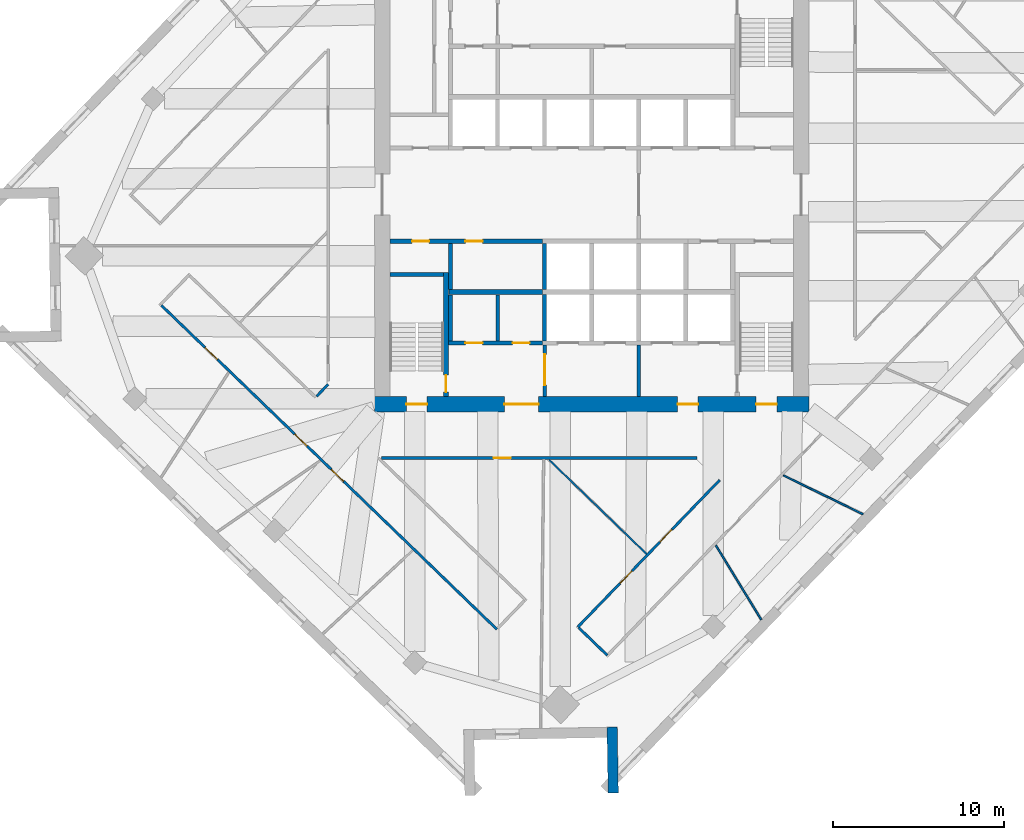
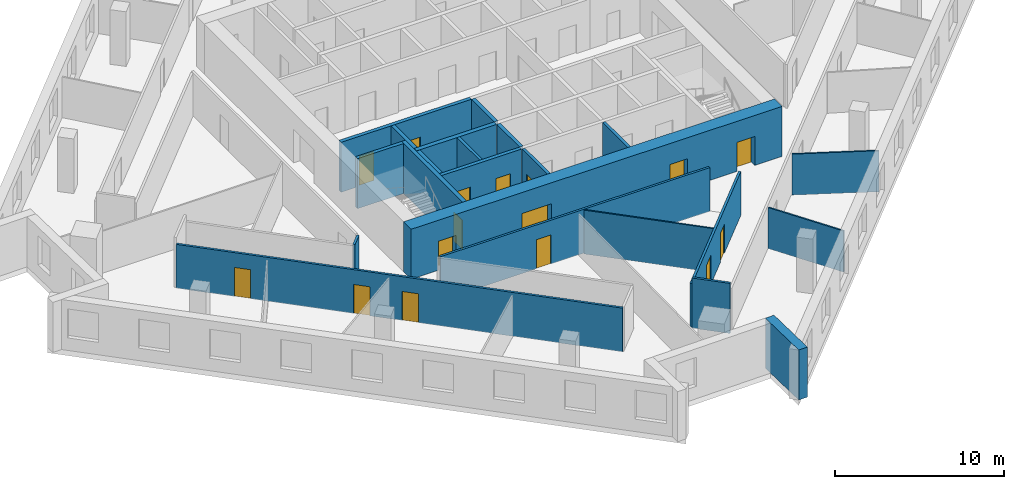
# One storey, part 6 of 13: 22 walls, 16 doors, 16 openings.
"""IFC4 building model written with IfcOpenShell, lengths in metres."""

from ifc_helpers import new_model, si_unit, direction, frame, frame_2d, origin, place, context, subcontext, project, spatial, rectangle, extrude, material, layer, layer_set, type_object, element, fill, save


model = new_model("IFC4")

# Units and contexts
model_context = context("Model", 3, precision=1e-05, world=origin(), true_north=direction((0.0, 1.0)))
body_context = subcontext(model_context, "Body", "Model", "MODEL_VIEW")
ifc_project = project(units=[si_unit("LENGTHUNIT", "METRE"), si_unit("AREAUNIT", "SQUARE_METRE"), si_unit("VOLUMEUNIT", "CUBIC_METRE"), si_unit("PLANEANGLEUNIT", "RADIAN"), si_unit("MASSUNIT", "GRAM", prefix="KILO")], contexts=[model_context])

# Site, building, storey
site_placement = place(None, origin())
site = spatial("IfcSite", under=ifc_project, at=site_placement, CompositionType="ELEMENT")
building_placement = place(site_placement, origin())
building = spatial("IfcBuilding", under=site, at=building_placement, Name="Dilmun Exchange Tower", CompositionType="ELEMENT")
storey_placement = place(building_placement, frame((0.0, 0.0, 213.300048828125)))
storey = spatial("IfcBuildingStorey", under=building, at=storey_placement, Name="L50", CompositionType="ELEMENT", Elevation=213.300048828125)

# Wall, opening, door
ifc_material_1 = material(Name="Concrete C40/50", Category="concrete")
ifc_layer_1 = layer(ifc_material_1, 0.199951171875)
ifc_layer_set_1 = layer_set([ifc_layer_1], Name="Concrete C40/50")
wall_type_1 = type_object("IfcWallType", Name="Core partition wall 200", PredefinedType="PARTITIONING", material=ifc_layer_set_1)
wall_1_placement = place(storey_placement, frame((-2.75, -11.794921875, 0.0), z_axis=(0.0, 0.0, 1.0), x_axis=(0.0, 1.0, 0.0)))
wall_1 = element("IfcWall", 1, at=wall_1_placement, inside=storey, type_object=wall_type_1, Name="L50 core partition wall 01", PredefinedType="PARTITIONING", context=body_context, shape_type="SweptSolid", body=[
    extrude(rectangle(XDim=2.989990234375, YDim=0.199951171875, at=frame_2d((1.4951171875, 0.0))), origin(), (0.0, 0.0, 1.0), 3.619873046875),
])
opening_1_placement = place(wall_1_placement, frame((0.657470703125, 0.0, 0.0)))
opening_1 = element("IfcOpeningElement", 2, at=opening_1_placement, cuts=wall_1, Name="Opening CD5", PredefinedType="OPENING", context=body_context, shape_type="SweptSolid", body=[
    extrude(rectangle(XDim=1.800048828125, YDim=2.10009765625, at=frame_2d((0.89990234375, 1.050048828125))), frame((0.0, 0.10986328125, 0.0), z_axis=(0.0, -1.0, 0.0), x_axis=(1.0, 0.0, 0.0)), (0.0, 0.0, 1.0), 0.219970703125),
])
ifc_material_2 = material(Name="Fire-rated steel door set", Category="steel")
door_type_1 = type_object("IfcDoorType", Name="Stair exit door 1800x2100", OperationType="SINGLE_SWING_LEFT", PredefinedType="DOOR", material=ifc_material_2)
door_1_placement = place(opening_1_placement, origin())
door_1 = element("IfcDoor", 3, at=door_1_placement, inside=storey, type_object=door_type_1, Name="L50 door Service lobby east", OperationType="SINGLE_SWING_LEFT", OverallHeight=2.10009765625, OverallWidth=1.800048828125, PredefinedType="DOOR", context=body_context, shape_type="SweptSolid", body=[
    extrude(rectangle(XDim=1.800048828125, YDim=2.10009765625, at=frame_2d((0.89990234375, 1.050048828125))), frame((0.0, 0.02490234375, 0.0), z_axis=(0.0, -1.0, 0.0), x_axis=(1.0, 0.0, 0.0)), (0.0, 0.0, 1.0), 0.050048828125),
])
fill(opening_1, door_1)

# Walls
wall_2_placement = place(storey_placement, frame((2.75, -11.794921875, 0.0), z_axis=(0.0, 0.0, 1.0), x_axis=(0.0, 1.0, 0.0)))
element("IfcWall", 4, at=wall_2_placement, inside=storey, type_object=wall_type_1, Name="L50 core partition wall 02", PredefinedType="PARTITIONING", context=body_context, shape_type="SweptSolid", body=[
    extrude(rectangle(XDim=2.989990234375, YDim=0.199951171875, at=frame_2d((1.4951171875, 0.0))), origin(), (0.0, 0.0, 1.0), 3.619873046875),
])
wall_3_placement = place(storey_placement, frame((-5.5, -8.544921875, 0.0), z_axis=(0.0, 0.0, 1.0), x_axis=(0.0, 1.0, 0.0)))
element("IfcWall", 5, at=wall_3_placement, inside=storey, type_object=wall_type_1, Name="L50 core partition wall 05", PredefinedType="PARTITIONING", context=body_context, shape_type="SweptSolid", body=[
    extrude(rectangle(XDim=2.68994140625, YDim=0.199951171875, at=frame_2d((1.344970703125, 0.0))), origin(), (0.0, 0.0, 1.0), 3.619873046875),
])

# Wall, openings, doors
ifc_layer_2 = layer(ifc_material_1, 0.25)
ifc_layer_set_2 = layer_set([ifc_layer_2], Name="Concrete C40/50")
wall_type_2 = type_object("IfcWallType", Name="Core partition wall 250", PredefinedType="PARTITIONING", material=ifc_layer_set_2)
wall_4_placement = place(storey_placement, frame((-8.3701171875, -8.675048828125, 0.0), z_axis=(0.0, 0.0, 1.0), x_axis=(1.0, 0.0, 0.0)))
wall_4 = element("IfcWall", 6, at=wall_4_placement, inside=storey, type_object=wall_type_2, Name="L50 core partition wall 03", PredefinedType="PARTITIONING", context=body_context, shape_type="SweptSolid", body=[
    extrude(rectangle(XDim=5.490234375, YDim=0.25, at=frame_2d((2.7451171875, 0.0))), origin(), (0.0, 0.0, 1.0), 3.619873046875),
])
opening_2_placement = place(wall_4_placement, frame((0.9951171875, 0.0, 0.0)))
opening_2 = element("IfcOpeningElement", 7, at=opening_2_placement, cuts=wall_4, Name="Opening CD4", PredefinedType="OPENING", context=body_context, shape_type="SweptSolid", body=[
    extrude(rectangle(XDim=1.0, YDim=2.10009765625, at=frame_2d((0.5, 1.050048828125))), frame((0.0, 0.135009765625, 0.0), z_axis=(0.0, -1.0, 0.0), x_axis=(1.0, 0.0, 0.0)), (0.0, 0.0, 1.0), 0.27001953125),
])
opening_3_placement = place(wall_4_placement, frame((3.7451171875, 0.0, 0.0)))
opening_3 = element("IfcOpeningElement", 8, at=opening_3_placement, cuts=wall_4, Name="Opening CD4", PredefinedType="OPENING", context=body_context, shape_type="SweptSolid", body=[
    extrude(rectangle(XDim=1.0, YDim=2.10009765625, at=frame_2d((0.5, 1.050048828125))), frame((0.0, 0.135009765625, 0.0), z_axis=(0.0, -1.0, 0.0), x_axis=(1.0, 0.0, 0.0)), (0.0, 0.0, 1.0), 0.27001953125),
])
door_type_2 = type_object("IfcDoorType", Name="Core room door 1000x2100", OperationType="SINGLE_SWING_LEFT", PredefinedType="DOOR", material=ifc_material_2)
door_2_placement = place(opening_2_placement, origin())
door_2 = element("IfcDoor", 9, at=door_2_placement, inside=storey, type_object=door_type_2, Name="L50 door Male WC", OperationType="SINGLE_SWING_LEFT", OverallHeight=2.10009765625, OverallWidth=1.0, PredefinedType="DOOR", context=body_context, shape_type="SweptSolid", body=[
    extrude(rectangle(XDim=1.0, YDim=2.10009765625, at=frame_2d((0.5, 1.050048828125))), frame((0.0, 0.02490234375, 0.0), z_axis=(0.0, -1.0, 0.0), x_axis=(1.0, 0.0, 0.0)), (0.0, 0.0, 1.0), 0.050048828125),
])
fill(opening_2, door_2)
door_3_placement = place(opening_3_placement, origin())
door_3 = element("IfcDoor", 10, at=door_3_placement, inside=storey, type_object=door_type_2, Name="L50 door Female WC", OperationType="SINGLE_SWING_LEFT", OverallHeight=2.10009765625, OverallWidth=1.0, PredefinedType="DOOR", context=body_context, shape_type="SweptSolid", body=[
    extrude(rectangle(XDim=1.0, YDim=2.10009765625, at=frame_2d((0.5, 1.050048828125))), frame((0.0, 0.02490234375, 0.0), z_axis=(0.0, -1.0, 0.0), x_axis=(1.0, 0.0, 0.0)), (0.0, 0.0, 1.0), 0.050048828125),
])
fill(opening_3, door_3)

# Walls
for number, where, z_axis, x_axis, name in (
    (11, (-8.25, -8.544921875, 0.0), (0.0, 0.0, 1.0), (0.0, 1.0, 0.0), "L50 core partition wall 04"),
    (12, (-8.25, -5.544921875, 0.0), (0.0, 0.0, 1.0), (0.0, 1.0, 0.0), "L50 core partition wall 07"),
):
    element("IfcWall", number, at=place(storey_placement, frame(where, z_axis=z_axis, x_axis=x_axis)), inside=storey, type_object=wall_type_2, Name=name, PredefinedType="PARTITIONING", context=body_context, shape_type="SweptSolid", body=[
        extrude(rectangle(XDim=2.68994140625, YDim=0.25, at=frame_2d((1.344970703125, 0.0))), origin(), (0.0, 0.0, 1.0), 3.619873046875),
    ])

# Wall, openings, doors
wall_5_placement = place(storey_placement, frame((-11.794921875, -2.72509765625, 0.0), z_axis=(0.0, 0.0, 1.0), x_axis=(1.0, 0.0, 0.0)))
wall_5 = element("IfcWall", 13, at=wall_5_placement, inside=storey, type_object=wall_type_2, Name="L50 core partition wall 09", PredefinedType="PARTITIONING", context=body_context, shape_type="SweptSolid", body=[
    extrude(rectangle(XDim=8.9150390625, YDim=0.25, at=frame_2d((4.45751953125, 0.0))), origin(), (0.0, 0.0, 1.0), 3.619873046875),
])
opening_4_placement = place(wall_5_placement, frame((1.294921875, 0.0, 0.0)))
opening_4 = element("IfcOpeningElement", 14, at=opening_4_placement, cuts=wall_5, Name="Opening CD4", PredefinedType="OPENING", context=body_context, shape_type="SweptSolid", body=[
    extrude(rectangle(XDim=1.0, YDim=2.10009765625, at=frame_2d((0.5, 1.050048828125))), frame((0.0, 0.135009765625, 0.0), z_axis=(0.0, -1.0, 0.0), x_axis=(1.0, 0.0, 0.0)), (0.0, 0.0, 1.0), 0.27001953125),
])
opening_5_placement = place(wall_5_placement, frame((4.419921875, 0.0, 0.0)))
opening_5 = element("IfcOpeningElement", 15, at=opening_5_placement, cuts=wall_5, Name="Opening CD4", PredefinedType="OPENING", context=body_context, shape_type="SweptSolid", body=[
    extrude(rectangle(XDim=1.0, YDim=2.10009765625, at=frame_2d((0.5, 1.050048828125))), frame((0.0, 0.135009765625, 0.0), z_axis=(0.0, -1.0, 0.0), x_axis=(1.0, 0.0, 0.0)), (0.0, 0.0, 1.0), 0.27001953125),
])
door_4_placement = place(opening_4_placement, origin())
door_4 = element("IfcDoor", 16, at=door_4_placement, inside=storey, type_object=door_type_2, Name="L50 door Accessible WC", OperationType="SINGLE_SWING_LEFT", OverallHeight=2.10009765625, OverallWidth=1.0, PredefinedType="DOOR", context=body_context, shape_type="SweptSolid", body=[
    extrude(rectangle(XDim=1.0, YDim=2.10009765625, at=frame_2d((0.5, 1.050048828125))), frame((0.0, 0.02490234375, 0.0), z_axis=(0.0, -1.0, 0.0), x_axis=(1.0, 0.0, 0.0)), (0.0, 0.0, 1.0), 0.050048828125),
])
fill(opening_4, door_4)
door_5_placement = place(opening_5_placement, origin())
door_5 = element("IfcDoor", 17, at=door_5_placement, inside=storey, type_object=door_type_2, Name="L50 door Switch room", OperationType="SINGLE_SWING_LEFT", OverallHeight=2.10009765625, OverallWidth=1.0, PredefinedType="DOOR", context=body_context, shape_type="SweptSolid", body=[
    extrude(rectangle(XDim=1.0, YDim=2.10009765625, at=frame_2d((0.5, 1.050048828125))), frame((0.0, 0.02490234375, 0.0), z_axis=(0.0, -1.0, 0.0), x_axis=(1.0, 0.0, 0.0)), (0.0, 0.0, 1.0), 0.050048828125),
])
fill(opening_5, door_5)

# Wall
ifc_layer_3 = layer(ifc_material_1, 0.300048828125)
ifc_layer_set_3 = layer_set([ifc_layer_3], Name="Concrete C40/50")
wall_type_3 = type_object("IfcWallType", Name="Core partition wall 300", PredefinedType="PARTITIONING", material=ifc_layer_set_3)
wall_6_placement = place(storey_placement, frame((-8.35009765625, -5.699951171875, 0.0), z_axis=(0.0, 0.0, 1.0), x_axis=(1.0, 0.0, 0.0)))
element("IfcWall", 18, at=wall_6_placement, inside=storey, type_object=wall_type_3, Name="L50 core partition wall 06", PredefinedType="PARTITIONING", context=body_context, shape_type="SweptSolid", body=[
    extrude(rectangle(XDim=5.47021484375, YDim=0.300048828125, at=frame_2d((2.735107421875, 0.0))), origin(), (0.0, 0.0, 1.0), 3.619873046875),
])

# Wall, openings, doors
ifc_material_3 = material(Name="Concrete C60/75", Category="concrete")
ifc_layer_4 = layer(ifc_material_3, 0.89990234375)
ifc_layer_set_4 = layer_set([ifc_layer_4], Name="Concrete C60/75")
wall_type_4 = type_object("IfcWallType", Name="Core shear wall 900 Concrete C60/75", PredefinedType="SHEAR", material=ifc_layer_set_4)
wall_7_placement = place(storey_placement, frame((-12.699951171875, -12.25, 0.0), z_axis=(0.0, 0.0, 1.0), x_axis=(1.0, 0.0, 0.0)))
wall_7 = element("IfcWall", 19, at=wall_7_placement, inside=storey, type_object=wall_type_4, Name="L50 core shear wall S", PredefinedType="SHEAR", context=body_context, shape_type="SweptSolid", body=[
    extrude(rectangle(XDim=25.39990234375, YDim=0.89990234375, at=frame_2d((12.699951171875, 0.0))), origin(), (0.0, 0.0, 1.0), 3.619873046875),
])
opening_6_placement = place(wall_7_placement, frame((7.60009765625, 0.0, 0.0)))
opening_6 = element("IfcOpeningElement", 20, at=opening_6_placement, cuts=wall_7, Name="Opening CD2", PredefinedType="OPENING", context=body_context, shape_type="SweptSolid", body=[
    extrude(rectangle(XDim=2.0, YDim=2.10009765625, at=frame_2d((1.0, 1.050048828125))), frame((0.0, 0.4599609375, 0.0), z_axis=(0.0, -1.0, 0.0), x_axis=(1.0, 0.0, 0.0)), (0.0, 0.0, 1.0), 0.919921875),
])
opening_7_placement = place(wall_7_placement, frame((17.72509765625, 0.0, 0.0)))
opening_7 = element("IfcOpeningElement", 21, at=opening_7_placement, cuts=wall_7, Name="Opening CD3", PredefinedType="OPENING", context=body_context, shape_type="SweptSolid", body=[
    extrude(rectangle(XDim=1.199951171875, YDim=2.10009765625, at=frame_2d((0.60009765625, 1.050048828125))), frame((0.0, 0.4599609375, 0.0), z_axis=(0.0, -1.0, 0.0), x_axis=(1.0, 0.0, 0.0)), (0.0, 0.0, 1.0), 0.919921875),
])
opening_8_placement = place(wall_7_placement, frame((1.875, 0.0, 0.0)))
opening_8 = element("IfcOpeningElement", 22, at=opening_8_placement, cuts=wall_7, Name="Opening CD3", PredefinedType="OPENING", context=body_context, shape_type="SweptSolid", body=[
    extrude(rectangle(XDim=1.199951171875, YDim=2.10009765625, at=frame_2d((0.60009765625, 1.050048828125))), frame((0.0, 0.4599609375, 0.0), z_axis=(0.0, -1.0, 0.0), x_axis=(1.0, 0.0, 0.0)), (0.0, 0.0, 1.0), 0.919921875),
])
opening_9_placement = place(wall_7_placement, frame((22.324951171875, 0.0, 0.0)))
opening_9 = element("IfcOpeningElement", 23, at=opening_9_placement, cuts=wall_7, Name="Opening CD3", PredefinedType="OPENING", context=body_context, shape_type="SweptSolid", body=[
    extrude(rectangle(XDim=1.199951171875, YDim=2.10009765625, at=frame_2d((0.60009765625, 1.050048828125))), frame((0.0, 0.4599609375, 0.0), z_axis=(0.0, -1.0, 0.0), x_axis=(1.0, 0.0, 0.0)), (0.0, 0.0, 1.0), 0.919921875),
])
door_type_3 = type_object("IfcDoorType", Name="Core service door 2000x2100", OperationType="DOUBLE_DOOR_DOUBLE_SWING", PredefinedType="DOOR", material=ifc_material_2)
door_6_placement = place(opening_6_placement, origin())
door_6 = element("IfcDoor", 24, at=door_6_placement, inside=storey, type_object=door_type_3, Name="L50 door South service lobby", OperationType="SINGLE_SWING_LEFT", OverallHeight=2.10009765625, OverallWidth=2.0, PredefinedType="DOOR", context=body_context, shape_type="SweptSolid", body=[
    extrude(rectangle(XDim=2.0, YDim=2.10009765625, at=frame_2d((1.0, 1.050048828125))), frame((0.0, 0.02490234375, 0.0), z_axis=(0.0, -1.0, 0.0), x_axis=(1.0, 0.0, 0.0)), (0.0, 0.0, 1.0), 0.050048828125),
])
fill(opening_6, door_6)
door_type_4 = type_object("IfcDoorType", Name="Stair exit door 1200x2100", OperationType="SINGLE_SWING_LEFT", PredefinedType="DOOR", material=ifc_material_2)
door_7_placement = place(opening_7_placement, origin())
door_7 = element("IfcDoor", 25, at=door_7_placement, inside=storey, type_object=door_type_4, Name="L50 door Fire-fighting lobby", OperationType="SINGLE_SWING_LEFT", OverallHeight=2.10009765625, OverallWidth=1.199951171875, PredefinedType="DOOR", context=body_context, shape_type="SweptSolid", body=[
    extrude(rectangle(XDim=1.199951171875, YDim=2.10009765625, at=frame_2d((0.60009765625, 1.050048828125))), frame((0.0, 0.02490234375, 0.0), z_axis=(0.0, -1.0, 0.0), x_axis=(1.0, 0.0, 0.0)), (0.0, 0.0, 1.0), 0.050048828125),
])
fill(opening_7, door_7)
door_8_placement = place(opening_8_placement, origin())
door_8 = element("IfcDoor", 26, at=door_8_placement, inside=storey, type_object=door_type_4, Name="L50 door Stair ST2", OperationType="SINGLE_SWING_LEFT", OverallHeight=2.10009765625, OverallWidth=1.199951171875, PredefinedType="DOOR", context=body_context, shape_type="SweptSolid", body=[
    extrude(rectangle(XDim=1.199951171875, YDim=2.10009765625, at=frame_2d((0.60009765625, 1.050048828125))), frame((0.0, 0.02490234375, 0.0), z_axis=(0.0, -1.0, 0.0), x_axis=(1.0, 0.0, 0.0)), (0.0, 0.0, 1.0), 0.050048828125),
])
fill(opening_8, door_8)
door_9_placement = place(opening_9_placement, origin())
door_9 = element("IfcDoor", 27, at=door_9_placement, inside=storey, type_object=door_type_4, Name="L50 door Stair ST3", OperationType="SINGLE_SWING_LEFT", OverallHeight=2.10009765625, OverallWidth=1.199951171875, PredefinedType="DOOR", context=body_context, shape_type="SweptSolid", body=[
    extrude(rectangle(XDim=1.199951171875, YDim=2.10009765625, at=frame_2d((0.60009765625, 1.050048828125))), frame((0.0, 0.02490234375, 0.0), z_axis=(0.0, -1.0, 0.0), x_axis=(1.0, 0.0, 0.0)), (0.0, 0.0, 1.0), 0.050048828125),
])
fill(opening_9, door_9)

ifc_material_4 = material(Name="Corridor wall 150")
ifc_layer_5 = layer(ifc_material_4, 0.14990234375)
ifc_layer_set_5 = layer_set([ifc_layer_5], Name="Corridor wall 150")
wall_type_5 = type_object("IfcWallType", Name="Corridor wall 150", PredefinedType="PARTITIONING", material=ifc_layer_set_5)
wall_8_placement = place(storey_placement, frame((-25.15087890625, -6.47900390625, 0.0), z_axis=(0.0, 0.0, 1.0), x_axis=(0.719341269489, -0.694656849106, 0.0)))
wall_8 = element("IfcWall", 28, at=wall_8_placement, inside=storey, type_object=wall_type_5, Name="Corridor wall", PredefinedType="PARTITIONING", context=body_context, shape_type="SweptSolid", body=[
    extrude(rectangle(XDim=27.258056640625, YDim=0.14990234375, at=frame_2d((13.62890625, 0.0))), origin(), (0.0, 0.0, 1.0), 3.169921875),
])
opening_10_placement = place(wall_8_placement, frame((3.550048828125, 0.0, 0.0)))
opening_10 = element("IfcOpeningElement", 29, at=opening_10_placement, cuts=wall_8, Name="Opening TF48-D01", PredefinedType="OPENING", context=body_context, shape_type="SweptSolid", body=[
    extrude(rectangle(XDim=1.0, YDim=2.10009765625, at=frame_2d((0.5, 1.050048828125))), frame((0.0, 0.0849609375, 0.0), z_axis=(0.0, -1.0, 0.0), x_axis=(1.0, 0.0, 0.0)), (0.0, 0.0, 1.0), 0.169921875),
])
opening_11_placement = place(wall_8_placement, frame((10.831787109375, 0.0, 0.0)))
opening_11 = element("IfcOpeningElement", 30, at=opening_11_placement, cuts=wall_8, Name="Opening TF48-D04", PredefinedType="OPENING", context=body_context, shape_type="SweptSolid", body=[
    extrude(rectangle(XDim=1.0, YDim=2.10009765625, at=frame_2d((0.5, 1.050048828125))), frame((0.0, 0.0849609375, 0.0), z_axis=(0.0, -1.0, 0.0), x_axis=(1.0, 0.0, 0.0)), (0.0, 0.0, 1.0), 0.169921875),
])
opening_12_placement = place(wall_8_placement, frame((13.79736328125, 0.0, 0.0)))
opening_12 = element("IfcOpeningElement", 31, at=opening_12_placement, cuts=wall_8, Name="Opening TF48-D07", PredefinedType="OPENING", context=body_context, shape_type="SweptSolid", body=[
    extrude(rectangle(XDim=1.0, YDim=2.10009765625, at=frame_2d((0.5, 1.050048828125))), frame((0.0, 0.0849609375, 0.0), z_axis=(0.0, -1.0, 0.0), x_axis=(1.0, 0.0, 0.0)), (0.0, 0.0, 1.0), 0.169921875),
])
ifc_material_5 = material(Name="Fire door 1000 x 2100")
door_type_5 = type_object("IfcDoorType", Name="Fire door 1000 x 2100", OperationType="NOTDEFINED", PredefinedType="DOOR", material=ifc_material_5)
door_10_placement = place(opening_10_placement, frame((1.0, 0.0, 0.0), z_axis=(0.0, 0.0, 1.0), x_axis=(-1.0, 0.0, 0.0)))
door_10 = element("IfcDoor", 32, at=door_10_placement, inside=storey, type_object=door_type_5, Name="Door TF48-D01", OperationType="SINGLE_SWING_LEFT", OverallHeight=2.10009765625, OverallWidth=1.0, PredefinedType="DOOR", context=body_context, shape_type="SweptSolid", body=[
    extrude(rectangle(XDim=1.0, YDim=2.10009765625, at=frame_2d((0.5, 1.050048828125))), frame((0.0, 0.02490234375, 0.0), z_axis=(0.0, -1.0, 0.0), x_axis=(1.0, 0.0, 0.0)), (0.0, 0.0, 1.0), 0.050048828125),
])
fill(opening_10, door_10)
door_11_placement = place(opening_11_placement, frame((1.0, 0.0, 0.0), z_axis=(0.0, 0.0, 1.0), x_axis=(-1.0, 0.0, 0.0)))
door_11 = element("IfcDoor", 33, at=door_11_placement, inside=storey, type_object=door_type_5, Name="Door TF48-D04", OperationType="SINGLE_SWING_RIGHT", OverallHeight=2.10009765625, OverallWidth=1.0, PredefinedType="DOOR", context=body_context, shape_type="SweptSolid", body=[
    extrude(rectangle(XDim=1.0, YDim=2.10009765625, at=frame_2d((0.5, 1.050048828125))), frame((0.0, 0.02490234375, 0.0), z_axis=(0.0, -1.0, 0.0), x_axis=(1.0, 0.0, 0.0)), (0.0, 0.0, 1.0), 0.050048828125),
])
fill(opening_11, door_11)
door_12_placement = place(opening_12_placement, frame((1.0, 0.0, 0.0), z_axis=(0.0, 0.0, 1.0), x_axis=(-1.0, 0.0, 0.0)))
door_12 = element("IfcDoor", 34, at=door_12_placement, inside=storey, type_object=door_type_5, Name="Door TF48-D07", OperationType="SINGLE_SWING_RIGHT", OverallHeight=2.10009765625, OverallWidth=1.0, PredefinedType="DOOR", context=body_context, shape_type="SweptSolid", body=[
    extrude(rectangle(XDim=1.0, YDim=2.10009765625, at=frame_2d((0.5, 1.050048828125))), frame((0.0, 0.02490234375, 0.0), z_axis=(0.0, -1.0, 0.0), x_axis=(1.0, 0.0, 0.0)), (0.0, 0.0, 1.0), 0.050048828125),
])
fill(opening_12, door_12)

# Wall
wall_9_placement = place(storey_placement, frame((-16.0830078125, -11.7958984375, 0.0), z_axis=(0.0, 0.0, 1.0), x_axis=(0.694957895629, 0.719050431682, 0.0)))
element("IfcWall", 35, at=wall_9_placement, inside=storey, type_object=wall_type_5, Name="Corridor wall", PredefinedType="PARTITIONING", context=body_context, shape_type="SweptSolid", body=[
    extrude(rectangle(XDim=0.98291015625, YDim=0.14990234375, at=frame_2d((0.491455078125, 0.0))), origin(), (0.0, 0.0, 1.0), 3.169921875),
])

# Wall, opening, door
wall_10_placement = place(storey_placement, frame((-12.2734375, -15.39990234375, 0.0), z_axis=(0.0, 0.0, 1.0), x_axis=(1.0, 0.0, 0.0)))
wall_10 = element("IfcWall", 36, at=wall_10_placement, inside=storey, type_object=wall_type_5, Name="Corridor wall", PredefinedType="PARTITIONING", context=body_context, shape_type="SweptSolid", body=[
    extrude(rectangle(XDim=18.42333984375, YDim=0.14990234375, at=frame_2d((9.211669921875, 0.0))), origin(), (0.0, 0.0, 1.0), 3.169921875),
])
opening_13_placement = place(wall_10_placement, frame((6.550048828125, 0.0, 0.0)))
opening_13 = element("IfcOpeningElement", 37, at=opening_13_placement, cuts=wall_10, Name="Opening TF48-D09", PredefinedType="OPENING", context=body_context, shape_type="SweptSolid", body=[
    extrude(rectangle(XDim=1.0, YDim=2.10009765625, at=frame_2d((0.5, 1.050048828125))), frame((0.0, 0.0849609375, 0.0), z_axis=(0.0, -1.0, 0.0), x_axis=(1.0, 0.0, 0.0)), (0.0, 0.0, 1.0), 0.169921875),
])
door_13_placement = place(opening_13_placement, frame((1.0, 0.0, 0.0), z_axis=(0.0, 0.0, 1.0), x_axis=(-1.0, 0.0, 0.0)))
door_13 = element("IfcDoor", 38, at=door_13_placement, inside=storey, type_object=door_type_5, Name="Door TF48-D09", OperationType="SINGLE_SWING_LEFT", OverallHeight=2.10009765625, OverallWidth=1.0, PredefinedType="DOOR", context=body_context, shape_type="SweptSolid", body=[
    extrude(rectangle(XDim=1.0, YDim=2.10009765625, at=frame_2d((0.5, 1.050048828125))), frame((0.0, 0.02490234375, 0.0), z_axis=(0.0, -1.0, 0.0), x_axis=(1.0, 0.0, 0.0)), (0.0, 0.0, 1.0), 0.050048828125),
])
fill(opening_13, door_13)

# Wall, openings, doors
wall_11_placement = place(storey_placement, frame((-0.802001953125, -25.277099609375, 0.0), z_axis=(0.0, 0.0, 1.0), x_axis=(0.69467482151, 0.71932391338, 0.0)))
wall_11 = element("IfcWall", 39, at=wall_11_placement, inside=storey, type_object=wall_type_5, Name="Corridor wall", PredefinedType="PARTITIONING", context=body_context, shape_type="SweptSolid", body=[
    extrude(rectangle(XDim=11.93505859375, YDim=0.14990234375, at=frame_2d((5.967529296875, 0.0))), origin(), (0.0, 0.0, 1.0), 3.169921875),
])
opening_14_placement = place(wall_11_placement, frame((3.550048828125, 0.0, 0.0)))
opening_14 = element("IfcOpeningElement", 40, at=opening_14_placement, cuts=wall_11, Name="Opening TF48-D13", PredefinedType="OPENING", context=body_context, shape_type="SweptSolid", body=[
    extrude(rectangle(XDim=1.0, YDim=2.10009765625, at=frame_2d((0.5, 1.050048828125))), frame((0.0, 0.0849609375, 0.0), z_axis=(0.0, -1.0, 0.0), x_axis=(1.0, 0.0, 0.0)), (0.0, 0.0, 1.0), 0.169921875),
])
opening_15_placement = place(wall_11_placement, frame((6.90625, 0.0, 0.0)))
opening_15 = element("IfcOpeningElement", 41, at=opening_15_placement, cuts=wall_11, Name="Opening TF48-D14", PredefinedType="OPENING", context=body_context, shape_type="SweptSolid", body=[
    extrude(rectangle(XDim=1.0, YDim=2.10009765625, at=frame_2d((0.5, 1.050048828125))), frame((0.0, 0.0849609375, 0.0), z_axis=(0.0, -1.0, 0.0), x_axis=(1.0, 0.0, 0.0)), (0.0, 0.0, 1.0), 0.169921875),
])
door_14_placement = place(opening_14_placement, origin())
door_14 = element("IfcDoor", 42, at=door_14_placement, inside=storey, type_object=door_type_5, Name="Door TF48-D13", OperationType="SINGLE_SWING_RIGHT", OverallHeight=2.10009765625, OverallWidth=1.0, PredefinedType="DOOR", context=body_context, shape_type="SweptSolid", body=[
    extrude(rectangle(XDim=1.0, YDim=2.10009765625, at=frame_2d((0.5, 1.050048828125))), frame((0.0, 0.02490234375, 0.0), z_axis=(0.0, -1.0, 0.0), x_axis=(1.0, 0.0, 0.0)), (0.0, 0.0, 1.0), 0.050048828125),
])
fill(opening_14, door_14)
door_15_placement = place(opening_15_placement, origin())
door_15 = element("IfcDoor", 43, at=door_15_placement, inside=storey, type_object=door_type_5, Name="Door TF48-D14", OperationType="SINGLE_SWING_RIGHT", OverallHeight=2.10009765625, OverallWidth=1.0, PredefinedType="DOOR", context=body_context, shape_type="SweptSolid", body=[
    extrude(rectangle(XDim=1.0, YDim=2.10009765625, at=frame_2d((0.5, 1.050048828125))), frame((0.0, 0.02490234375, 0.0), z_axis=(0.0, -1.0, 0.0), x_axis=(1.0, 0.0, 0.0)), (0.0, 0.0, 1.0), 0.050048828125),
])
fill(opening_15, door_15)

# Walls
wall_12_placement = place(storey_placement, frame((-0.748046875, -25.3291015625, 0.0), z_axis=(0.0, 0.0, 1.0), x_axis=(0.719490097839, -0.69450269914, 0.0)))
element("IfcWall", 44, at=wall_12_placement, inside=storey, type_object=wall_type_5, Name="Corridor wall", PredefinedType="PARTITIONING", context=body_context, shape_type="SweptSolid", body=[
    extrude(rectangle(XDim=2.325439453125, YDim=0.14990234375, at=frame_2d((1.16259765625, 0.0))), origin(), (0.0, 0.0, 1.0), 3.619873046875),
])
ifc_layer_6 = layer(ifc_material_1, 0.25)
ifc_layer_set_6 = layer_set([ifc_layer_6], Name="Concrete C40/50")
wall_type_6 = type_object("IfcWallType", Name="Lift shaft wall 250", PredefinedType="SOLIDWALL", material=ifc_layer_set_6)
for number, where, z_axis, x_axis, name in (
    (45, (-2.75, -5.550048828125, 0.0), (0.0, 0.0, 1.0), (0.0, 1.0, 0.0), "L50 lift shaft divider S12"),
    (46, (-2.75, -8.550048828125, 0.0), (0.0, 0.0, 1.0), (0.0, 1.0, 0.0), "L50 lift shaft divider S22"),
):
    element("IfcWall", number, at=place(storey_placement, frame(where, z_axis=z_axis, x_axis=x_axis)), inside=storey, type_object=wall_type_6, Name=name, PredefinedType="SOLIDWALL", context=body_context, shape_type="SweptSolid", body=[
        extrude(rectangle(XDim=2.699951171875, YDim=0.25, at=frame_2d((1.35009765625, 0.0))), origin(), (0.0, 0.0, 1.0), 3.619873046875),
    ])
ifc_material_6 = material(Name="Partition 100")
ifc_layer_7 = layer(ifc_material_6, 0.10009765625)
ifc_layer_set_7 = layer_set([ifc_layer_7], Name="Partition 100")
wall_type_7 = type_object("IfcWallType", Name="Partition 100", PredefinedType="PARTITIONING", material=ifc_layer_set_7)
wall_13_placement = place(storey_placement, frame((-2.484130859375, -15.510986328125, 0.0), z_axis=(0.0, 0.0, 1.0), x_axis=(0.719269714203, -0.694730939451, 0.0)))
element("IfcWall", 47, at=wall_13_placement, inside=storey, type_object=wall_type_7, Name="Partition", PredefinedType="PARTITIONING", context=body_context, shape_type="SweptSolid", body=[
    extrude(rectangle(XDim=7.91943359375, YDim=0.10009765625, at=frame_2d((3.959716796875, 0.0))), origin(), (0.0, 0.0, 1.0), 3.169921875),
])
wall_14_placement = place(storey_placement, frame((7.26025390625, -20.509033203125, 0.0), z_axis=(0.0, 0.0, 1.0), x_axis=(0.522477715675, -0.852652940312, 0.0)))
element("IfcWall", 48, at=wall_14_placement, inside=storey, type_object=wall_type_7, Name="Partition", PredefinedType="PARTITIONING", context=body_context, shape_type="SweptSolid", body=[
    extrude(rectangle(XDim=5.091064453125, YDim=0.10009765625, at=frame_2d((2.54541015625, 0.0))), origin(), (0.0, 0.0, 1.0), 2.969970703125),
])
wall_15_placement = place(storey_placement, frame((11.215576171875, -16.417724609375, 0.0), z_axis=(0.0, 0.0, 1.0), x_axis=(0.898851336675, -0.438253664625, 0.0)))
element("IfcWall", 49, at=wall_15_placement, inside=storey, type_object=wall_type_7, Name="Partition", PredefinedType="PARTITIONING", context=body_context, shape_type="SweptSolid", body=[
    extrude(rectangle(XDim=5.17919921875, YDim=0.10009765625, at=frame_2d((2.589599609375, 0.0))), origin(), (0.0, 0.0, 1.0), 2.969970703125),
])
ifc_material_7 = material(Name="Precast concrete C50/60", Category="concrete")
ifc_layer_8 = layer(ifc_material_7, 0.60009765625)
ifc_layer_set_8 = layer_set([ifc_layer_8], Name="Precast concrete C50/60")
wall_type_8 = type_object("IfcWallType", Name="Precast stone-clad wall 600", PredefinedType="STANDARD", material=ifc_layer_set_8)
wall_16_placement = place(storey_placement, frame((1.197265625, -31.13916015625, 0.0), z_axis=(0.0, 0.0, 1.0), x_axis=(0.017454332947, -0.999847661527, 0.0)))
element("IfcWall", 50, at=wall_16_placement, inside=storey, type_object=wall_type_8, Name="Facade wall L50-10", PredefinedType="STANDARD", context=body_context, shape_type="SweptSolid", body=[
    extrude(rectangle(XDim=3.846435546875, YDim=0.60009765625, at=frame_2d((1.92333984375, 0.0))), origin(), (0.0, 0.0, 1.0), 3.619873046875),
])
ifc_layer_9 = layer(ifc_material_1, 0.25)
ifc_layer_set_9 = layer_set([ifc_layer_9], Name="Concrete C40/50")
wall_type_9 = type_object("IfcWallType", Name="Stair end wall 250", PredefinedType="SOLIDWALL", material=ifc_layer_set_9)
wall_17_placement = place(storey_placement, frame((-8.64990234375, -4.675048828125, 0.0), z_axis=(0.0, 0.0, 1.0), x_axis=(-1.0, 0.0, 0.0)))
element("IfcWall", 51, at=wall_17_placement, inside=storey, type_object=wall_type_9, Name="L50 ST2 far wall", PredefinedType="SOLIDWALL", context=body_context, shape_type="SweptSolid", body=[
    extrude(rectangle(XDim=3.150146484375, YDim=0.25, at=frame_2d((1.5751953125, 0.0))), origin(), (0.0, 0.0, 1.0), 3.619873046875),
])

# Wall, opening, door
ifc_layer_10 = layer(ifc_material_1, 0.27490234375)
ifc_layer_set_10 = layer_set([ifc_layer_10], Name="Concrete C40/50")
wall_type_10 = type_object("IfcWallType", Name="Stair wall 275", PredefinedType="SOLIDWALL", material=ifc_layer_set_10)
wall_18_placement = place(storey_placement, frame((-8.512451171875, -4.550048828125, 0.0), z_axis=(0.0, 0.0, 1.0), x_axis=(0.0, -1.0, 0.0)))
wall_18 = element("IfcWall", 52, at=wall_18_placement, inside=storey, type_object=wall_type_10, Name="L50 ST2 wall to lift block", PredefinedType="SOLIDWALL", context=body_context, shape_type="SweptSolid", body=[
    extrude(rectangle(XDim=7.25, YDim=0.27490234375, at=frame_2d((3.625, 0.0))), origin(), (0.0, 0.0, 1.0), 3.619873046875),
])
opening_16_placement = place(wall_18_placement, frame((6.0, 0.0, 0.0)))
opening_16 = element("IfcOpeningElement", 53, at=opening_16_placement, cuts=wall_18, Name="Opening CD4", PredefinedType="OPENING", context=body_context, shape_type="SweptSolid", body=[
    extrude(rectangle(XDim=1.0, YDim=2.10009765625, at=frame_2d((0.5, 1.050048828125))), frame((0.0, 0.1474609375, 0.0), z_axis=(0.0, -1.0, 0.0), x_axis=(1.0, 0.0, 0.0)), (0.0, 0.0, 1.0), 0.294921875),
])
door_16_placement = place(opening_16_placement, origin())
door_16 = element("IfcDoor", 54, at=door_16_placement, inside=storey, type_object=door_type_2, Name="L50 door ST2 from lobby", OperationType="SINGLE_SWING_LEFT", OverallHeight=2.10009765625, OverallWidth=1.0, PredefinedType="DOOR", context=body_context, shape_type="SweptSolid", body=[
    extrude(rectangle(XDim=1.0, YDim=2.10009765625, at=frame_2d((0.5, 1.050048828125))), frame((0.0, 0.02490234375, 0.0), z_axis=(0.0, -1.0, 0.0), x_axis=(1.0, 0.0, 0.0)), (0.0, 0.0, 1.0), 0.050048828125),
])
fill(opening_16, door_16)

save(model, "model.ifc")
